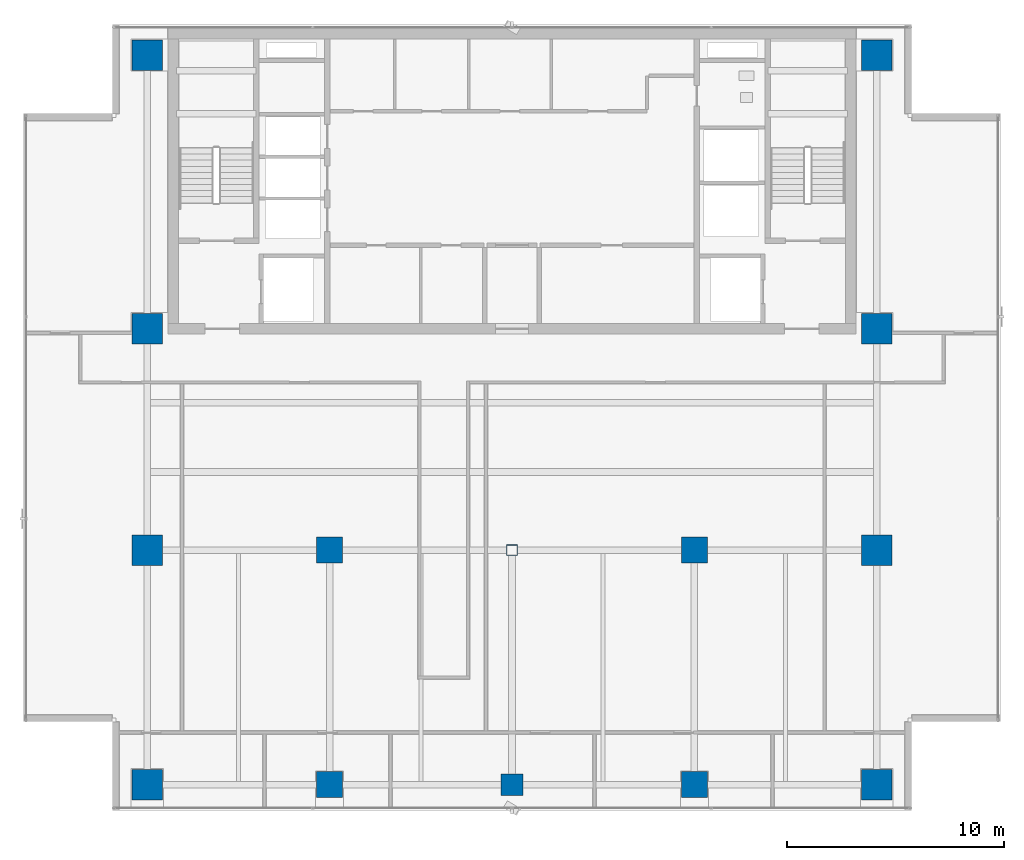
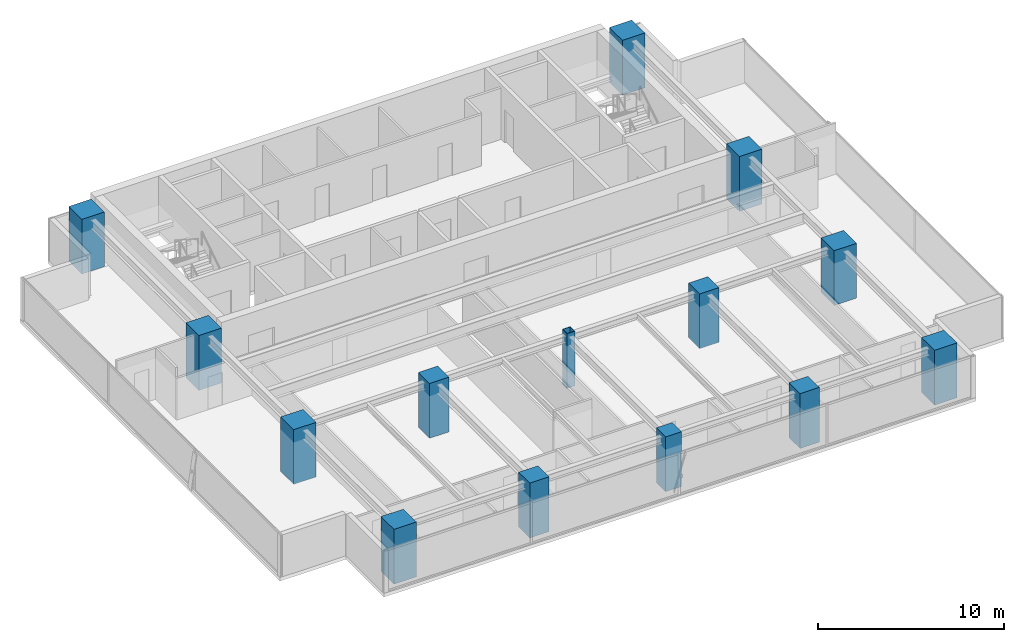
# One storey, part 1 of 25: 14 columns.
"""IFC4 building model written with IfcOpenShell, lengths in metres."""

from ifc_helpers import new_model, si_unit, direction, frame, origin, origin_with_axes, origin_2d, place, context, subcontext, project, spatial, rectangle, hollow_rectangle, extrude, source, transform, mapped, material, material_profile, profile_set, type_object, element, save


model = new_model("IFC4")

# Units and contexts
model_context = context("Model", 3, precision=1e-05, world=origin(), true_north=direction((0.0, 1.0)))
body_context = subcontext(model_context, "Body", "Model", "MODEL_VIEW")
ifc_project = project(units=[si_unit("LENGTHUNIT", "METRE"), si_unit("AREAUNIT", "SQUARE_METRE"), si_unit("VOLUMEUNIT", "CUBIC_METRE"), si_unit("PLANEANGLEUNIT", "RADIAN"), si_unit("MASSUNIT", "GRAM", prefix="KILO")], contexts=[model_context])

# Site, building, storey
site_placement = place(None, origin())
site = spatial("IfcSite", under=ifc_project, at=site_placement, CompositionType="ELEMENT")
building_placement = place(site_placement, origin())
building = spatial("IfcBuilding", under=site, at=building_placement, Name="Sumidabori Civic Tower", CompositionType="ELEMENT")
storey_placement = place(building_placement, frame((0.0, 0.0, 232.39990234375)))
storey = spatial("IfcBuildingStorey", under=building, at=storey_placement, Name="L60", CompositionType="ELEMENT", Elevation=232.39990234375)

# Columns
ifc_material_1 = material(Name="Concrete C60/75", Category="concrete")
ifc_material_profile_1 = material_profile(ifc_material_1, rectangle(XDim=1.39990234375, YDim=1.39990234375, at=origin_2d()), Name="RC 1400x1400")
ifc_profile_set_1 = profile_set([ifc_material_profile_1], Name="Concrete C60/75")
column_type_1 = type_object("IfcColumnType", Name="CL-MEGA-1400", PredefinedType="COLUMN", material=ifc_profile_set_1)
shared_shape_1 = source(origin(), body_context, "Body", "SweptSolid", [
    extrude(rectangle(XDim=1.39990234375, YDim=1.39990234375, at=origin_2d()), origin(), (0.0, 0.0, 1.0), 3.60009765625),
])
for number, where, z_axis, x_axis, name in (
    (1, (-16.800048828125, -10.800048828125, 0.0), (0.0, 0.0, 1.0), (1.0, 0.0, 0.0), "Column MC-W16-Y11S L60"),
    (2, (-16.800048828125, 0.0, 0.0), (0.0, 0.0, 1.0), (1.0, 0.0, 0.0), "Column MC-W16-Y00 L60"),
    (3, (-16.800048828125, 10.199951171875, 0.0), (0.0, 0.0, 1.0), (1.0, 0.0, 0.0), "Column MC-W16-Y10N L60"),
    (4, (-16.800048828125, 22.800048828125, 0.0), (0.0, 0.0, 1.0), (1.0, 0.0, 0.0), "Column MC-W16-Y23N L60"),
    (5, (16.800048828125, -10.800048828125, 0.0), (0.0, 0.0, 1.0), (1.0, 0.0, 0.0), "Column MC-E16-Y11S L60"),
    (6, (16.800048828125, 0.0, 0.0), (0.0, 0.0, 1.0), (1.0, 0.0, 0.0), "Column MC-E16-Y00 L60"),
    (7, (16.800048828125, 10.199951171875, 0.0), (0.0, 0.0, 1.0), (1.0, 0.0, 0.0), "Column MC-E16-Y10N L60"),
    (8, (16.800048828125, 22.800048828125, 0.0), (0.0, 0.0, 1.0), (1.0, 0.0, 0.0), "Column MC-E16-Y23N L60"),
):
    element("IfcColumn", number, at=place(storey_placement, frame(where, z_axis=z_axis, x_axis=x_axis)), inside=storey, type_object=column_type_1, Name=name, PredefinedType="COLUMN", context=body_context, shape_type="MappedRepresentation", body=[
        mapped(shared_shape_1, transform((0.0, 0.0, 0.0), x_axis=(1.0, 0.0, 0.0), y_axis=(0.0, 1.0, 0.0), z_axis=(0.0, 0.0, 1.0), scale=1.0)),
    ])
ifc_material_2 = material(Name="Concrete C50/60", Category="concrete")
ifc_material_profile_2 = material_profile(ifc_material_2, rectangle(XDim=1.0, YDim=1.0, at=origin_2d()), Name="RC 1000x1000")
ifc_profile_set_2 = profile_set([ifc_material_profile_2], Name="Concrete C50/60")
column_type_2 = type_object("IfcColumnType", Name="CL-INT-1000", PredefinedType="COLUMN", material=ifc_profile_set_2)
shared_shape_2 = source(origin(), body_context, "Body", "SweptSolid", [
    extrude(rectangle(XDim=1.0, YDim=1.0, at=origin_2d()), origin(), (0.0, 0.0, 1.0), 3.60009765625),
])
column_1_placement = place(storey_placement, frame((0.0, -10.800048828125, 0.0), z_axis=(0.0, 0.0, 1.0), x_axis=(1.0, 0.0, 0.0)))
element("IfcColumn", 9, at=column_1_placement, inside=storey, type_object=column_type_2, Name="Column MC-C00-Y11S L60", PredefinedType="COLUMN", context=body_context, shape_type="MappedRepresentation", body=[
    mapped(shared_shape_2, transform((0.0, 0.0, 0.0), x_axis=(1.0, 0.0, 0.0), y_axis=(0.0, 1.0, 0.0), z_axis=(0.0, 0.0, 1.0), scale=1.0)),
])
ifc_material_profile_3 = material_profile(ifc_material_2, rectangle(XDim=1.199951171875, YDim=1.199951171875, at=origin_2d()), Name="RC 1200x1200")
ifc_profile_set_3 = profile_set([ifc_material_profile_3], Name="Concrete C50/60")
column_type_3 = type_object("IfcColumnType", Name="CL-MEGA-1200", PredefinedType="COLUMN", material=ifc_profile_set_3)
shared_shape_3 = source(origin(), body_context, "Body", "SweptSolid", [
    extrude(rectangle(XDim=1.199951171875, YDim=1.199951171875, at=origin_2d()), origin(), (0.0, 0.0, 1.0), 3.60009765625),
])
for number, where, z_axis, x_axis, name in (
    (10, (-8.39990234375, 0.0, 0.0), (0.0, 0.0, 1.0), (1.0, 0.0, 0.0), "Column MC-W08-Y00 L60"),
    (11, (-8.39990234375, -10.800048828125, 0.0), (0.0, 0.0, 1.0), (1.0, 0.0, 0.0), "Column MC-W08-Y11S L60"),
    (12, (8.39990234375, 0.0, 0.0), (0.0, 0.0, 1.0), (1.0, 0.0, 0.0), "Column MC-E08-Y00 L60"),
    (13, (8.39990234375, -10.800048828125, 0.0), (0.0, 0.0, 1.0), (1.0, 0.0, 0.0), "Column MC-E08-Y11S L60"),
):
    element("IfcColumn", number, at=place(storey_placement, frame(where, z_axis=z_axis, x_axis=x_axis)), inside=storey, type_object=column_type_3, Name=name, PredefinedType="COLUMN", context=body_context, shape_type="MappedRepresentation", body=[
        mapped(shared_shape_3, transform((0.0, 0.0, 0.0), x_axis=(1.0, 0.0, 0.0), y_axis=(0.0, 1.0, 0.0), z_axis=(0.0, 0.0, 1.0), scale=1.0)),
    ])
ifc_material_3 = material(Name="Steel SN490", Category="steel")
ifc_material_profile_4 = material_profile(ifc_material_3, hollow_rectangle(XDim=0.5, YDim=0.5, WallThickness=0.02490234375, at=origin_2d()), Name="SHS 500x500x25")
ifc_profile_set_4 = profile_set([ifc_material_profile_4], Name="Steel SN490")
column_type_4 = type_object("IfcColumnType", Name="CL-CRN-SHS500", PredefinedType="COLUMN", material=ifc_profile_set_4)
shared_shape_4 = source(origin(), body_context, "Body", "SweptSolid", [
    extrude(hollow_rectangle(XDim=0.5, YDim=0.5, WallThickness=0.02490234375, at=origin_2d()), origin(), (0.0, 0.0, 1.0), 3.60009765625),
])
column_2_placement = place(storey_placement, origin_with_axes())
element("IfcColumn", 14, at=column_2_placement, inside=storey, type_object=column_type_4, Name="Column MC-C00-Y00 L60", PredefinedType="COLUMN", context=body_context, shape_type="MappedRepresentation", body=[
    mapped(shared_shape_4, transform((0.0, 0.0, 0.0), x_axis=(1.0, 0.0, 0.0), y_axis=(0.0, 1.0, 0.0), z_axis=(0.0, 0.0, 1.0), scale=1.0)),
])

save(model, "model.ifc")
